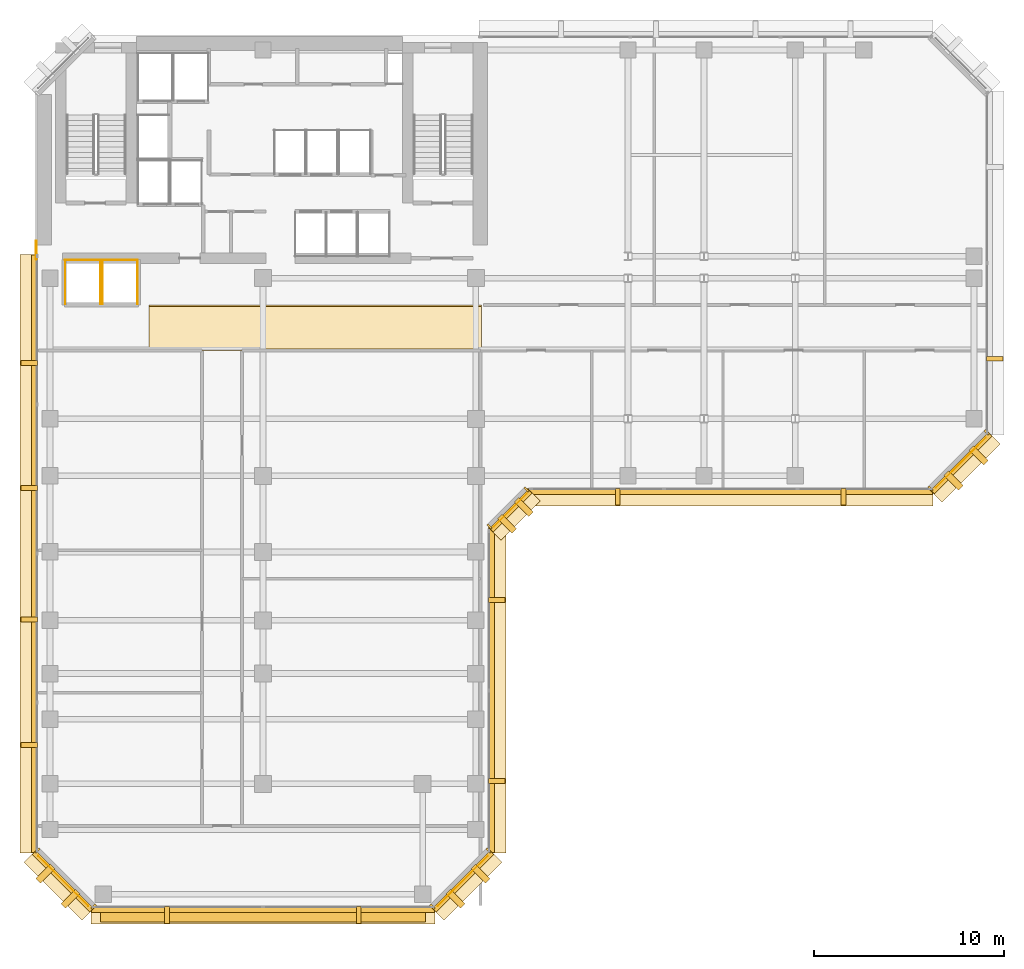
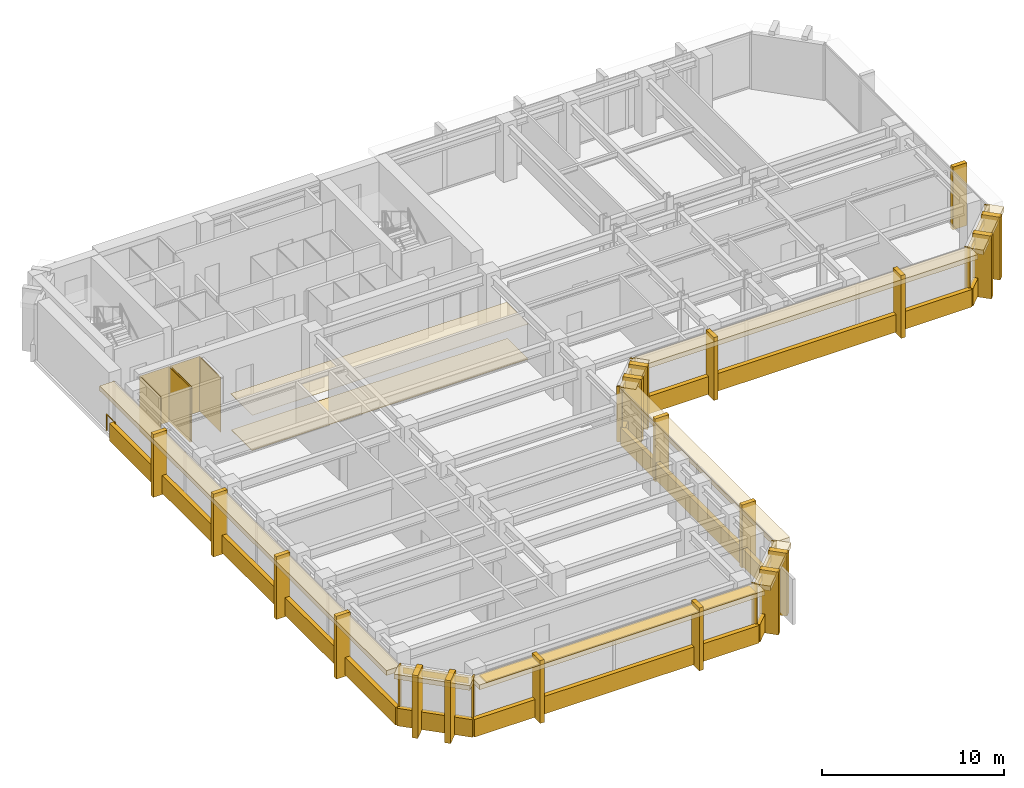
# One storey, part 9 of 11: 55 coverings, 1 railing, 1 shading device.
"""IFC4 building model written with IfcOpenShell, lengths in metres."""

from ifc_helpers import new_model, si_unit, direction, frame, origin, origin_2d, place, context, subcontext, project, spatial, polyline, rectangle, circle, outline, extrude, material, layer, layer_set, type_object, element, save


model = new_model("IFC4")

# Units and contexts
model_context = context("Model", 3, precision=1e-05, world=origin(), true_north=direction((0.0, 1.0)))
body_context = subcontext(model_context, "Body", "Model", "MODEL_VIEW")
ifc_project = project(units=[si_unit("LENGTHUNIT", "METRE"), si_unit("AREAUNIT", "SQUARE_METRE"), si_unit("VOLUMEUNIT", "CUBIC_METRE"), si_unit("PLANEANGLEUNIT", "RADIAN"), si_unit("MASSUNIT", "GRAM", prefix="KILO")], contexts=[model_context])

# Site, building, storey
site_placement = place(None, origin())
site = spatial("IfcSite", under=ifc_project, at=site_placement, CompositionType="ELEMENT")
building_placement = place(site_placement, origin())
building = spatial("IfcBuilding", under=site, at=building_placement, Name="Kefirva Bronze Tower", CompositionType="ELEMENT")
storey_placement = place(building_placement, frame((0.0, 0.0, 154.77001953125)))
storey = spatial("IfcBuildingStorey", under=building, at=storey_placement, Name="L37", CompositionType="ELEMENT", Elevation=154.77001953125)

# Coverings
ifc_material_1 = material(Name="Acoustic mineral tile")
ifc_layer_1 = layer(ifc_material_1, 0.02490234375, Name="Acoustic mineral tile")
ifc_layer_set_1 = layer_set([ifc_layer_1], Name="Acoustic mineral tile")
covering_type_1 = type_object("IfcCoveringType", Name="Acoustic Mineral Suspended Ceiling 25mm", PredefinedType="CEILING", material=ifc_layer_set_1)
covering_1_placement = place(storey_placement, frame((0.0, 0.0, 2.39990234375)))
element("IfcCovering", 1, at=covering_1_placement, inside=storey, type_object=covering_type_1, Name="L37 Corridor Acoustic Ceiling", PredefinedType="CEILING", context=body_context, shape_type="SweptSolid", body=[
    extrude(outline(polyline([(6.0, 29.39990234375), (23.5, 29.39990234375), (23.5, 31.800048828125), (6.0, 31.800048828125), (6.0, 29.39990234375)])), origin(), (0.0, 0.0, 1.0), 0.025146484375),
])
ifc_material_2 = material(Name="Bronze anodised aluminium", Category="aluminium")
ifc_layer_2 = layer(ifc_material_2, 0.02001953125, Name="Bronze anodised aluminium")
ifc_layer_set_2 = layer_set([ifc_layer_2], Name="Bronze anodised aluminium")
covering_type_2 = type_object("IfcCoveringType", Name="Anodised Bronze Spandrel Cladding 20mm", PredefinedType="CLADDING", material=ifc_layer_set_2)
covering_2_placement = place(storey_placement, frame((12.0, -0.0400390625, -0.16015625), z_axis=(0.0, 0.0, 1.0), x_axis=(1.0, 0.0, 0.0)))
element("IfcCovering", 2, at=covering_2_placement, inside=storey, type_object=covering_type_2, Name="L37 Streamline Horizontal Spandrel Band 0", PredefinedType="CLADDING", context=body_context, shape_type="SweptSolid", body=[
    extrude(rectangle(XDim=18.0400390625, YDim=0.280029296875, at=origin_2d()), origin(), (0.0, 0.0, 1.0), 1.179931640625),
])
covering_3_placement = place(storey_placement, frame((22.507080078125, 1.492919921875, 3.2900390625), z_axis=(0.0, 0.0, 1.0), x_axis=(0.707106781187, 0.707106781187, 0.0)))
element("IfcCovering", 3, at=covering_3_placement, inside=storey, type_object=covering_type_2, Name="L37 Bronze Spandrel Cladding 1", PredefinedType="CLADDING", context=body_context, shape_type="SweptSolid", body=[
    extrude(rectangle(XDim=3.719482421875, YDim=0.02001953125, at=origin_2d()), origin(), (0.0, 0.0, 1.0), 0.39990234375),
])
for number, where, z_axis, x_axis, name in (
    (4, (20.91162109375, 0.137939453125, 0.0), (0.0, 0.0, 1.0), (0.707106781187, 0.707106781187, 0.0), "L37 Facade Joint Closure Panel 1S"),
    (5, (23.862060546875, 3.08837890625, 0.0), (0.0, 0.0, 1.0), (0.707106781187, 0.707106781187, 0.0), "L37 Facade Joint Closure Panel 1E"),
):
    element("IfcCovering", number, at=place(storey_placement, frame(where, z_axis=z_axis, x_axis=x_axis)), inside=storey, type_object=covering_type_2, Name=name, PredefinedType="CLADDING", context=body_context, shape_type="SweptSolid", body=[
        extrude(rectangle(XDim=0.10009765625, YDim=0.320068359375, at=origin_2d()), origin(), (0.0, 0.0, 1.0), 3.7099609375),
    ])
covering_4_placement = place(storey_placement, frame((22.5283203125, 1.4716796875, -0.16015625), z_axis=(0.0, 0.0, 1.0), x_axis=(0.707106781187, 0.707106781187, 0.0)))
element("IfcCovering", 6, at=covering_4_placement, inside=storey, type_object=covering_type_2, Name="L37 Streamline Horizontal Spandrel Band 1", PredefinedType="CLADDING", context=body_context, shape_type="SweptSolid", body=[
    extrude(rectangle(XDim=4.28271484375, YDim=0.280029296875, at=origin_2d()), origin(), (0.0, 0.0, 1.0), 1.179931640625),
])
covering_5_placement = place(storey_placement, frame((24.0400390625, 11.5, -0.16015625), z_axis=(0.0, 0.0, 1.0), x_axis=(0.0, 1.0, 0.0)))
element("IfcCovering", 7, at=covering_5_placement, inside=storey, type_object=covering_type_2, Name="L37 Streamline Horizontal Spandrel Band 2", PredefinedType="CLADDING", context=body_context, shape_type="SweptSolid", body=[
    extrude(rectangle(XDim=17.0400390625, YDim=0.280029296875, at=origin_2d()), origin(), (0.0, 0.0, 1.0), 1.179931640625),
])
covering_6_placement = place(storey_placement, frame((25.007080078125, 20.992919921875, 3.2900390625), z_axis=(0.0, 0.0, 1.0), x_axis=(0.707106781187, 0.707106781187, 0.0)))
element("IfcCovering", 8, at=covering_6_placement, inside=storey, type_object=covering_type_2, Name="L37 Bronze Spandrel Cladding 2", PredefinedType="CLADDING", context=body_context, shape_type="SweptSolid", body=[
    extrude(rectangle(XDim=2.446533203125, YDim=0.02001953125, at=origin_2d()), origin(), (0.0, 0.0, 1.0), 0.39990234375),
])
for number, where, z_axis, x_axis, name in (
    (9, (23.91162109375, 20.137939453125, 0.0), (0.0, 0.0, 1.0), (0.707106781187, 0.707106781187, 0.0), "L37 Facade Joint Closure Panel 2S"),
    (10, (25.862060546875, 22.08837890625, 0.0), (0.0, 0.0, 1.0), (0.707106781187, 0.707106781187, 0.0), "L37 Facade Joint Closure Panel 2E"),
):
    element("IfcCovering", number, at=place(storey_placement, frame(where, z_axis=z_axis, x_axis=x_axis)), inside=storey, type_object=covering_type_2, Name=name, PredefinedType="CLADDING", context=body_context, shape_type="SweptSolid", body=[
        extrude(rectangle(XDim=0.10009765625, YDim=0.320068359375, at=origin_2d()), origin(), (0.0, 0.0, 1.0), 3.7099609375),
    ])
covering_7_placement = place(storey_placement, frame((25.0283203125, 20.9716796875, -0.16015625), z_axis=(0.0, 0.0, 1.0), x_axis=(0.707106781187, 0.707106781187, 0.0)))
element("IfcCovering", 11, at=covering_7_placement, inside=storey, type_object=covering_type_2, Name="L37 Streamline Horizontal Spandrel Band 3", PredefinedType="CLADDING", context=body_context, shape_type="SweptSolid", body=[
    extrude(rectangle(XDim=2.868408203125, YDim=0.280029296875, at=origin_2d()), origin(), (0.0, 0.0, 1.0), 1.179931640625),
])
covering_8_placement = place(storey_placement, frame((36.60009765625, 21.9599609375, -0.16015625), z_axis=(0.0, 0.0, 1.0), x_axis=(1.0, 0.0, 0.0)))
element("IfcCovering", 12, at=covering_8_placement, inside=storey, type_object=covering_type_2, Name="L37 Streamline Horizontal Spandrel Band 4", PredefinedType="CLADDING", context=body_context, shape_type="SweptSolid", body=[
    extrude(rectangle(XDim=21.239990234375, YDim=0.280029296875, at=origin_2d()), origin(), (0.0, 0.0, 1.0), 1.179931640625),
])
covering_9_placement = place(storey_placement, frame((48.70703125, 23.492919921875, 3.2900390625), z_axis=(0.0, 0.0, 1.0), x_axis=(0.707106781187, 0.707106781187, 0.0)))
element("IfcCovering", 13, at=covering_9_placement, inside=storey, type_object=covering_type_2, Name="L37 Bronze Spandrel Cladding 3", PredefinedType="CLADDING", context=body_context, shape_type="SweptSolid", body=[
    extrude(rectangle(XDim=3.719482421875, YDim=0.02001953125, at=origin_2d()), origin(), (0.0, 0.0, 1.0), 0.39990234375),
])
for number, where, z_axis, x_axis, name in (
    (14, (47.11181640625, 22.137939453125, 0.0), (0.0, 0.0, 1.0), (0.707106781187, 0.707106781187, 0.0), "L37 Facade Joint Closure Panel 3S"),
    (15, (50.06201171875, 25.08837890625, 0.0), (0.0, 0.0, 1.0), (0.707106781187, 0.707106781187, 0.0), "L37 Facade Joint Closure Panel 3E"),
):
    element("IfcCovering", number, at=place(storey_placement, frame(where, z_axis=z_axis, x_axis=x_axis)), inside=storey, type_object=covering_type_2, Name=name, PredefinedType="CLADDING", context=body_context, shape_type="SweptSolid", body=[
        extrude(rectangle(XDim=0.10009765625, YDim=0.320068359375, at=origin_2d()), origin(), (0.0, 0.0, 1.0), 3.7099609375),
    ])
covering_10_placement = place(storey_placement, frame((48.728271484375, 23.4716796875, -0.16015625), z_axis=(0.0, 0.0, 1.0), x_axis=(0.707106781187, 0.707106781187, 0.0)))
element("IfcCovering", 16, at=covering_10_placement, inside=storey, type_object=covering_type_2, Name="L37 Streamline Horizontal Spandrel Band 5", PredefinedType="CLADDING", context=body_context, shape_type="SweptSolid", body=[
    extrude(rectangle(XDim=4.28271484375, YDim=0.280029296875, at=origin_2d()), origin(), (0.0, 0.0, 1.0), 1.179931640625),
])
covering_11_placement = place(storey_placement, frame((-0.0400390625, 18.697509765625, -0.16015625), z_axis=(0.0, 0.0, 1.0), x_axis=(0.0, -1.0, 0.0)))
element("IfcCovering", 17, at=covering_11_placement, inside=storey, type_object=covering_type_2, Name="L37 Streamline Horizontal Spandrel Band 10", PredefinedType="CLADDING", context=body_context, shape_type="SweptSolid", body=[
    extrude(rectangle(XDim=31.43505859375, YDim=0.280029296875, at=origin_2d()), origin(), (0.0, 0.0, 1.0), 1.179931640625),
])
covering_12_placement = place(storey_placement, frame((1.492919921875, 1.492919921875, 3.2900390625), z_axis=(0.0, 0.0, 1.0), x_axis=(0.707106781187, -0.707106781187, 0.0)))
element("IfcCovering", 18, at=covering_12_placement, inside=storey, type_object=covering_type_2, Name="L37 Bronze Spandrel Cladding 6", PredefinedType="CLADDING", context=body_context, shape_type="SweptSolid", body=[
    extrude(rectangle(XDim=3.719482421875, YDim=0.02001953125, at=origin_2d()), origin(), (0.0, 0.0, 1.0), 0.39990234375),
])
for number, where, z_axis, x_axis, name in (
    (19, (0.137939453125, 3.08837890625, 0.0), (0.0, 0.0, 1.0), (0.707106781187, -0.707106781187, 0.0), "L37 Facade Joint Closure Panel 6S"),
    (20, (3.08837890625, 0.137939453125, 0.0), (0.0, 0.0, 1.0), (0.707106781187, -0.707106781187, 0.0), "L37 Facade Joint Closure Panel 6E"),
):
    element("IfcCovering", number, at=place(storey_placement, frame(where, z_axis=z_axis, x_axis=x_axis)), inside=storey, type_object=covering_type_2, Name=name, PredefinedType="CLADDING", context=body_context, shape_type="SweptSolid", body=[
        extrude(rectangle(XDim=0.10009765625, YDim=0.320068359375, at=origin_2d()), origin(), (0.0, 0.0, 1.0), 3.7099609375),
    ])
covering_13_placement = place(storey_placement, frame((1.4716796875, 1.4716796875, -0.16015625), z_axis=(0.0, 0.0, 1.0), x_axis=(0.707106781187, -0.707106781187, 0.0)))
element("IfcCovering", 21, at=covering_13_placement, inside=storey, type_object=covering_type_2, Name="L37 Streamline Horizontal Spandrel Band 11", PredefinedType="CLADDING", context=body_context, shape_type="SweptSolid", body=[
    extrude(rectangle(XDim=4.28271484375, YDim=0.280029296875, at=origin_2d()), origin(), (0.0, 0.0, 1.0), 1.179931640625),
])
covering_14_placement = place(storey_placement, origin())
element("IfcCovering", 22, at=covering_14_placement, inside=storey, type_object=covering_type_2, Name="L37 Lift OB1 Hoistway Liner N", PredefinedType="CLADDING", context=body_context, shape_type="SweptSolid", body=[
    extrude(outline(polyline([(1.580078125, 34.139892578125), (3.469970703125, 34.139892578125), (3.469970703125, 34.159912109375), (1.580078125, 34.159912109375), (1.580078125, 34.139892578125)])), origin(), (0.0, 0.0, 1.0), 3.7099609375),
])
covering_15_placement = place(storey_placement, origin())
element("IfcCovering", 23, at=covering_15_placement, inside=storey, type_object=covering_type_2, Name="L37 Lift OB1 Hoistway Liner W", PredefinedType="CLADDING", context=body_context, shape_type="SweptSolid", body=[
    extrude(outline(polyline([(1.590087890625, 31.830078125), (1.610107421875, 31.830078125), (1.610107421875, 34.169921875), (1.590087890625, 34.169921875), (1.590087890625, 31.830078125)])), origin(), (0.0, 0.0, 1.0), 3.7099609375),
])
covering_16_placement = place(storey_placement, origin())
element("IfcCovering", 24, at=covering_16_placement, inside=storey, type_object=covering_type_2, Name="L37 Lift OB1 Hoistway Liner E", PredefinedType="CLADDING", context=body_context, shape_type="SweptSolid", body=[
    extrude(outline(polyline([(3.43994140625, 31.830078125), (3.4599609375, 31.830078125), (3.4599609375, 34.169921875), (3.43994140625, 34.169921875), (3.43994140625, 31.830078125)])), origin(), (0.0, 0.0, 1.0), 3.7099609375),
])
covering_17_placement = place(storey_placement, origin())
element("IfcCovering", 25, at=covering_17_placement, inside=storey, type_object=covering_type_2, Name="L37 Lift OB2 Hoistway Liner N", PredefinedType="CLADDING", context=body_context, shape_type="SweptSolid", body=[
    extrude(outline(polyline([(3.530029296875, 34.139892578125), (5.419921875, 34.139892578125), (5.419921875, 34.159912109375), (3.530029296875, 34.159912109375), (3.530029296875, 34.139892578125)])), origin(), (0.0, 0.0, 1.0), 3.7099609375),
])
covering_18_placement = place(storey_placement, origin())
element("IfcCovering", 26, at=covering_18_placement, inside=storey, type_object=covering_type_2, Name="L37 Lift OB2 Hoistway Liner W", PredefinedType="CLADDING", context=body_context, shape_type="SweptSolid", body=[
    extrude(outline(polyline([(3.5400390625, 31.830078125), (3.56005859375, 31.830078125), (3.56005859375, 34.169921875), (3.5400390625, 34.169921875), (3.5400390625, 31.830078125)])), origin(), (0.0, 0.0, 1.0), 3.7099609375),
])
covering_19_placement = place(storey_placement, origin())
element("IfcCovering", 27, at=covering_19_placement, inside=storey, type_object=covering_type_2, Name="L37 Lift OB2 Hoistway Liner E", PredefinedType="CLADDING", context=body_context, shape_type="SweptSolid", body=[
    extrude(outline(polyline([(5.389892578125, 31.830078125), (5.409912109375, 31.830078125), (5.409912109375, 34.169921875), (5.389892578125, 34.169921875), (5.389892578125, 31.830078125)])), origin(), (0.0, 0.0, 1.0), 3.7099609375),
])

# Shading device
ifc_layer_3 = layer(ifc_material_2, 0.090087890625, Name="Bronze anodised aluminium")
ifc_layer_set_3 = layer_set([ifc_layer_3], Name="Bronze anodised aluminium")
shading_device_type = type_object("IfcShadingDeviceType", Name="Horizontal Bronze Sunshade Band 750mm", PredefinedType="JALOUSIE", material=ifc_layer_set_3)
shading_device_placement = place(storey_placement, frame((12.0, -0.294921875, 3.60498046875), z_axis=(0.0, 0.0, 1.0), x_axis=(1.0, 0.0, 0.0)))
element("IfcShadingDevice", 28, at=shading_device_placement, inside=storey, type_object=shading_device_type, Name="L37 Horizontal Bronze Sunshade Band 0", PredefinedType="JALOUSIE", context=body_context, shape_type="SweptSolid", body=[
    extrude(rectangle(XDim=17.090087890625, YDim=0.75, at=origin_2d()), origin(), (0.0, 0.0, 1.0), 0.090087890625),
])

# Railing
ifc_material_3 = material(Name="Stainless steel 316", Category="steel")
railing_type = type_object("IfcRailingType", Name="Interior Stair Guardrail 1100mm", PredefinedType="GUARDRAIL", material=ifc_material_3)
railing_placement = place(storey_placement, frame((0.080078125, 34.199951171875, 0.0)))
element("IfcRailing", 29, at=railing_placement, inside=storey, type_object=railing_type, Name="L37 West Core Junction Guardrail", PredefinedType="GUARDRAIL", context=body_context, shape_type="SweptSolid", body=[
    extrude(circle(Radius=0.02392578125, at=origin_2d()), frame((0.0, 0.0, 1.076171875), z_axis=(0.0, 1.0, 0.0), x_axis=(-1.0, 0.0, 0.0)), (0.0, 0.0, 1.0), 0.949951171875),
    extrude(circle(Radius=0.02099609375, at=origin_2d()), origin(), (0.0, 0.0, 1.0), 1.052001953125),
    extrude(circle(Radius=0.02099609375, at=origin_2d()), frame((0.0, 0.949951171875, 0.0)), (0.0, 0.0, 1.0), 1.052001953125),
])

# Coverings
ifc_material_4 = material(Name="Calcium sulphate access tile")
ifc_layer_4 = layer(ifc_material_4, 0.044921875, Name="Calcium sulphate access tile")
ifc_layer_set_4 = layer_set([ifc_layer_4], Name="Calcium sulphate access tile")
covering_type_3 = type_object("IfcCoveringType", Name="Raised Access Office Flooring 45mm", PredefinedType="FLOORING", material=ifc_layer_set_4)
covering_20_placement = place(storey_placement, origin())
element("IfcCovering", 30, at=covering_20_placement, inside=storey, type_object=covering_type_3, Name="L37 Architectural Finish Flooring", PredefinedType="FLOORING", context=body_context, shape_type="SweptSolid", body=[
    extrude(outline(polyline([(6.0, 29.47998046875), (23.5, 29.47998046875), (23.5, 31.719970703125), (6.0, 31.719970703125), (6.0, 29.47998046875)])), origin(), (0.0, 0.0, 1.0), 0.044921875),
])
ifc_layer_5 = layer(ifc_material_2, 0.179931640625, Name="Bronze anodised aluminium")
ifc_layer_set_5 = layer_set([ifc_layer_5], Name="Bronze anodised aluminium")
covering_type_4 = type_object("IfcCoveringType", Name="Streamline Bronze Sunshade Eyebrow Cladding 180mm", PredefinedType="CLADDING", material=ifc_layer_set_5)
covering_21_placement = place(storey_placement, frame((12.0, -0.31005859375, 3.39013671875), z_axis=(0.0, 0.0, 1.0), x_axis=(1.0, 0.0, 0.0)))
element("IfcCovering", 31, at=covering_21_placement, inside=storey, type_object=covering_type_4, Name="L37 Streamline Bronze Sunshade Eyebrow 0", PredefinedType="CLADDING", context=body_context, shape_type="SweptSolid", body=[
    extrude(rectangle(XDim=18.080078125, YDim=0.93994140625, at=origin_2d()), origin(), (0.0, 0.0, 1.0), 0.320068359375),
])
covering_22_placement = place(storey_placement, frame((22.71923828125, 1.28076171875, 3.39013671875), z_axis=(0.0, 0.0, 1.0), x_axis=(0.707106781187, 0.707106781187, 0.0)))
element("IfcCovering", 32, at=covering_22_placement, inside=storey, type_object=covering_type_4, Name="L37 Streamline Bronze Sunshade Eyebrow 1", PredefinedType="CLADDING", context=body_context, shape_type="SweptSolid", body=[
    extrude(rectangle(XDim=4.322509765625, YDim=0.93994140625, at=origin_2d()), origin(), (0.0, 0.0, 1.0), 0.320068359375),
])
covering_23_placement = place(storey_placement, frame((24.31005859375, 11.5, 3.39013671875), z_axis=(0.0, 0.0, 1.0), x_axis=(0.0, 1.0, 0.0)))
element("IfcCovering", 33, at=covering_23_placement, inside=storey, type_object=covering_type_4, Name="L37 Streamline Bronze Sunshade Eyebrow 2", PredefinedType="CLADDING", context=body_context, shape_type="SweptSolid", body=[
    extrude(rectangle(XDim=17.080078125, YDim=0.93994140625, at=origin_2d()), origin(), (0.0, 0.0, 1.0), 0.320068359375),
])
covering_24_placement = place(storey_placement, frame((25.21923828125, 20.78076171875, 3.39013671875), z_axis=(0.0, 0.0, 1.0), x_axis=(0.707106781187, 0.707106781187, 0.0)))
element("IfcCovering", 34, at=covering_24_placement, inside=storey, type_object=covering_type_4, Name="L37 Streamline Bronze Sunshade Eyebrow 3", PredefinedType="CLADDING", context=body_context, shape_type="SweptSolid", body=[
    extrude(rectangle(XDim=2.908447265625, YDim=0.93994140625, at=origin_2d()), origin(), (0.0, 0.0, 1.0), 0.320068359375),
])
covering_25_placement = place(storey_placement, frame((36.60009765625, 21.68994140625, 3.39013671875), z_axis=(0.0, 0.0, 1.0), x_axis=(1.0, 0.0, 0.0)))
element("IfcCovering", 35, at=covering_25_placement, inside=storey, type_object=covering_type_4, Name="L37 Streamline Bronze Sunshade Eyebrow 4", PredefinedType="CLADDING", context=body_context, shape_type="SweptSolid", body=[
    extrude(rectangle(XDim=21.280029296875, YDim=0.93994140625, at=origin_2d()), origin(), (0.0, 0.0, 1.0), 0.320068359375),
])
covering_26_placement = place(storey_placement, frame((48.919189453125, 23.28076171875, 3.39013671875), z_axis=(0.0, 0.0, 1.0), x_axis=(0.707106781187, 0.707106781187, 0.0)))
element("IfcCovering", 36, at=covering_26_placement, inside=storey, type_object=covering_type_4, Name="L37 Streamline Bronze Sunshade Eyebrow 5", PredefinedType="CLADDING", context=body_context, shape_type="SweptSolid", body=[
    extrude(rectangle(XDim=4.322509765625, YDim=0.93994140625, at=origin_2d()), origin(), (0.0, 0.0, 1.0), 0.320068359375),
])
covering_27_placement = place(storey_placement, frame((-0.31005859375, 18.697509765625, 3.39013671875), z_axis=(0.0, 0.0, 1.0), x_axis=(0.0, -1.0, 0.0)))
element("IfcCovering", 37, at=covering_27_placement, inside=storey, type_object=covering_type_4, Name="L37 Streamline Bronze Sunshade Eyebrow 10", PredefinedType="CLADDING", context=body_context, shape_type="SweptSolid", body=[
    extrude(rectangle(XDim=31.47509765625, YDim=0.93994140625, at=origin_2d()), origin(), (0.0, 0.0, 1.0), 0.320068359375),
])
covering_28_placement = place(storey_placement, frame((1.28076171875, 1.28076171875, 3.39013671875), z_axis=(0.0, 0.0, 1.0), x_axis=(0.707106781187, -0.707106781187, 0.0)))
element("IfcCovering", 38, at=covering_28_placement, inside=storey, type_object=covering_type_4, Name="L37 Streamline Bronze Sunshade Eyebrow 11", PredefinedType="CLADDING", context=body_context, shape_type="SweptSolid", body=[
    extrude(rectangle(XDim=4.322509765625, YDim=0.93994140625, at=origin_2d()), origin(), (0.0, 0.0, 1.0), 0.320068359375),
])
ifc_layer_6 = layer(ifc_material_2, 0.260009765625, Name="Bronze anodised aluminium")
ifc_layer_set_6 = layer_set([ifc_layer_6], Name="Bronze anodised aluminium")
covering_type_5 = type_object("IfcCoveringType", Name="Unbroken Bronze Buttress Fin Cladding 260mm", PredefinedType="CLADDING", material=ifc_layer_set_6)
for number, where, z_axis, x_axis, name in (
    (39, (6.9599609375, -0.300048828125, -0.25), (0.0, 0.0, 1.0), (1.0, 0.0, 0.0), "L37 Unbroken Vertical Bronze Rib Fin 1"),
    (40, (17.0400390625, -0.300048828125, -0.25), (0.0, 0.0, 1.0), (1.0, 0.0, 0.0), "L37 Unbroken Vertical Bronze Rib Fin 2"),
):
    element("IfcCovering", number, at=place(storey_placement, frame(where, z_axis=z_axis, x_axis=x_axis)), inside=storey, type_object=covering_type_5, Name=name, PredefinedType="CLADDING", context=body_context, shape_type="SweptSolid", body=[
        extrude(rectangle(XDim=0.260009765625, YDim=0.8798828125, at=origin_2d()), origin(), (0.0, 0.0, 1.0), 4.2099609375),
    ])
for number, where, z_axis, x_axis, name in (
    (41, (22.122802734375, 0.55712890625, -0.25), (0.0, 0.0, 1.0), (0.707106781187, 0.707106781187, 0.0), "L37 Chamfered Corner Buttress Fin Cladding 3"),
    (42, (23.44287109375, 1.877197265625, -0.25), (0.0, 0.0, 1.0), (0.707106781187, 0.707106781187, 0.0), "L37 Chamfered Corner Buttress Fin Cladding 4"),
):
    element("IfcCovering", number, at=place(storey_placement, frame(where, z_axis=z_axis, x_axis=x_axis)), inside=storey, type_object=covering_type_5, Name=name, PredefinedType="CLADDING", context=body_context, shape_type="SweptSolid", body=[
        extrude(rectangle(XDim=0.340087890625, YDim=1.080078125, at=origin_2d()), origin(), (0.0, 0.0, 1.0), 4.2099609375),
    ])
for number, where, z_axis, x_axis, name in (
    (43, (24.300048828125, 6.739990234375, -0.25), (0.0, 0.0, 1.0), (0.0, 1.0, 0.0), "L37 Unbroken Vertical Bronze Rib Fin 5"),
    (44, (24.300048828125, 16.260009765625, -0.25), (0.0, 0.0, 1.0), (0.0, 1.0, 0.0), "L37 Unbroken Vertical Bronze Rib Fin 6"),
):
    element("IfcCovering", number, at=place(storey_placement, frame(where, z_axis=z_axis, x_axis=x_axis)), inside=storey, type_object=covering_type_5, Name=name, PredefinedType="CLADDING", context=body_context, shape_type="SweptSolid", body=[
        extrude(rectangle(XDim=0.260009765625, YDim=0.8798828125, at=origin_2d()), origin(), (0.0, 0.0, 1.0), 4.2099609375),
    ])
for number, where, z_axis, x_axis, name in (
    (45, (24.8427734375, 20.277099609375, -0.25), (0.0, 0.0, 1.0), (0.707106781187, 0.707106781187, 0.0), "L37 Chamfered Corner Buttress Fin Cladding 7"),
    (46, (25.722900390625, 21.1572265625, -0.25), (0.0, 0.0, 1.0), (0.707106781187, 0.707106781187, 0.0), "L37 Chamfered Corner Buttress Fin Cladding 8"),
):
    element("IfcCovering", number, at=place(storey_placement, frame(where, z_axis=z_axis, x_axis=x_axis)), inside=storey, type_object=covering_type_5, Name=name, PredefinedType="CLADDING", context=body_context, shape_type="SweptSolid", body=[
        extrude(rectangle(XDim=0.340087890625, YDim=1.080078125, at=origin_2d()), origin(), (0.0, 0.0, 1.0), 4.2099609375),
    ])
for number, where, z_axis, x_axis, name in (
    (47, (30.6640625, 21.699951171875, -0.25), (0.0, 0.0, 1.0), (1.0, 0.0, 0.0), "L37 Unbroken Vertical Bronze Rib Fin 9"),
    (48, (42.535888671875, 21.699951171875, -0.25), (0.0, 0.0, 1.0), (1.0, 0.0, 0.0), "L37 Unbroken Vertical Bronze Rib Fin 10"),
):
    element("IfcCovering", number, at=place(storey_placement, frame(where, z_axis=z_axis, x_axis=x_axis)), inside=storey, type_object=covering_type_5, Name=name, PredefinedType="CLADDING", context=body_context, shape_type="SweptSolid", body=[
        extrude(rectangle(XDim=0.260009765625, YDim=0.8798828125, at=origin_2d()), origin(), (0.0, 0.0, 1.0), 4.2099609375),
    ])
for number, where, z_axis, x_axis, name in (
    (49, (48.32275390625, 22.55712890625, -0.25), (0.0, 0.0, 1.0), (0.707106781187, 0.707106781187, 0.0), "L37 Chamfered Corner Buttress Fin Cladding 11"),
    (50, (49.642822265625, 23.877197265625, -0.25), (0.0, 0.0, 1.0), (0.707106781187, 0.707106781187, 0.0), "L37 Chamfered Corner Buttress Fin Cladding 12"),
):
    element("IfcCovering", number, at=place(storey_placement, frame(where, z_axis=z_axis, x_axis=x_axis)), inside=storey, type_object=covering_type_5, Name=name, PredefinedType="CLADDING", context=body_context, shape_type="SweptSolid", body=[
        extrude(rectangle(XDim=0.340087890625, YDim=1.080078125, at=origin_2d()), origin(), (0.0, 0.0, 1.0), 4.2099609375),
    ])
for number, where, z_axis, x_axis, name in (
    (51, (50.5, 28.9599609375, -0.25), (0.0, 0.0, 1.0), (0.0, 1.0, 0.0), "L37 Unbroken Vertical Bronze Rib Fin 13"),
    (52, (-0.300048828125, 28.743896484375, -0.25), (0.0, 0.0, 1.0), (0.0, -1.0, 0.0), "L37 Unbroken Vertical Bronze Rib Fin 23"),
    (53, (-0.300048828125, 22.15087890625, -0.25), (0.0, 0.0, 1.0), (0.0, -1.0, 0.0), "L37 Unbroken Vertical Bronze Rib Fin 24"),
    (54, (-0.300048828125, 15.244140625, -0.25), (0.0, 0.0, 1.0), (0.0, -1.0, 0.0), "L37 Unbroken Vertical Bronze Rib Fin 25"),
    (55, (-0.300048828125, 8.651123046875, -0.25), (0.0, 0.0, 1.0), (0.0, -1.0, 0.0), "L37 Unbroken Vertical Bronze Rib Fin 26"),
):
    element("IfcCovering", number, at=place(storey_placement, frame(where, z_axis=z_axis, x_axis=x_axis)), inside=storey, type_object=covering_type_5, Name=name, PredefinedType="CLADDING", context=body_context, shape_type="SweptSolid", body=[
        extrude(rectangle(XDim=0.260009765625, YDim=0.8798828125, at=origin_2d()), origin(), (0.0, 0.0, 1.0), 4.2099609375),
    ])
for number, where, z_axis, x_axis, name in (
    (56, (0.55712890625, 1.877197265625, -0.25), (0.0, 0.0, 1.0), (0.707106781187, -0.707106781187, 0.0), "L37 Chamfered Corner Buttress Fin Cladding 27"),
    (57, (1.877197265625, 0.55712890625, -0.25), (0.0, 0.0, 1.0), (0.707106781187, -0.707106781187, 0.0), "L37 Chamfered Corner Buttress Fin Cladding 28"),
):
    element("IfcCovering", number, at=place(storey_placement, frame(where, z_axis=z_axis, x_axis=x_axis)), inside=storey, type_object=covering_type_5, Name=name, PredefinedType="CLADDING", context=body_context, shape_type="SweptSolid", body=[
        extrude(rectangle(XDim=0.340087890625, YDim=1.080078125, at=origin_2d()), origin(), (0.0, 0.0, 1.0), 4.2099609375),
    ])

save(model, "model.ifc")
